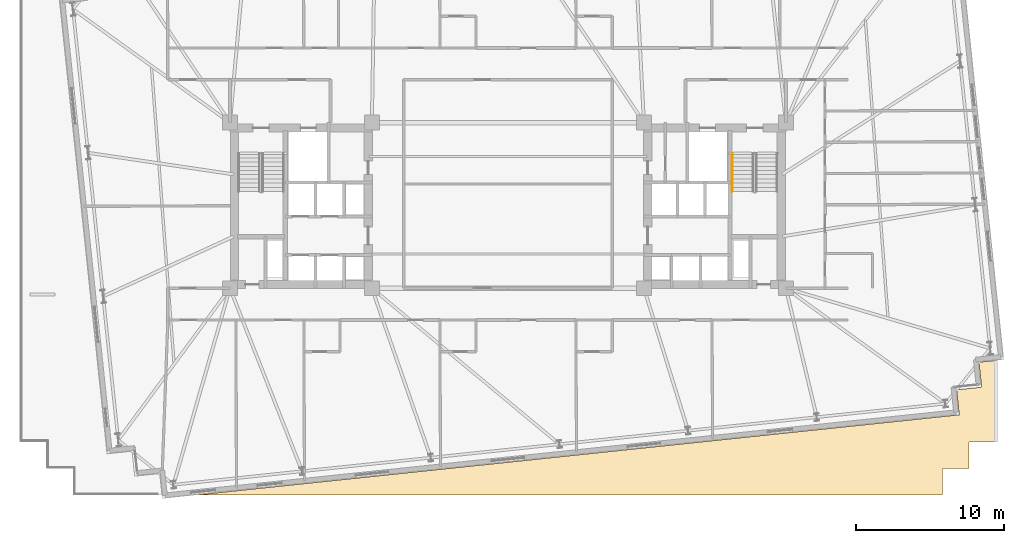
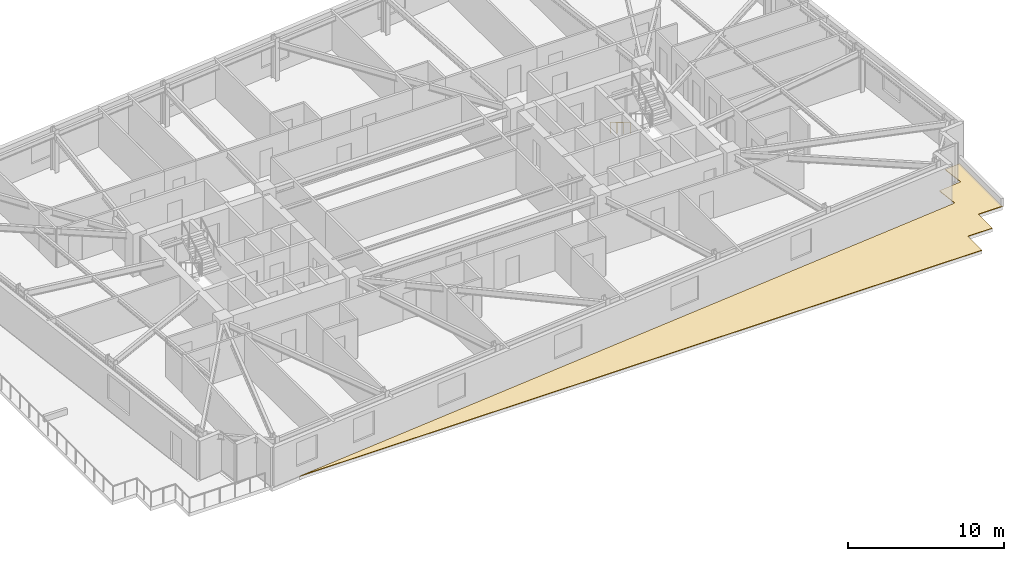
# One storey, part 19 of 20: 1 covering, 1 railing.
"""IFC4 building model written with IfcOpenShell, lengths in metres."""

from ifc_helpers import new_model, si_unit, direction, frame, origin, origin_2d, place, context, subcontext, project, spatial, polyline, circle, outline, extrude, material, layer, layer_set, type_object, element, save


model = new_model("IFC4")

# Units and contexts
model_context = context("Model", 3, precision=1e-05, world=origin(), true_north=direction((0.0, 1.0)))
body_context = subcontext(model_context, "Body", "Model", "MODEL_VIEW")
ifc_project = project(units=[si_unit("LENGTHUNIT", "METRE"), si_unit("AREAUNIT", "SQUARE_METRE"), si_unit("VOLUMEUNIT", "CUBIC_METRE"), si_unit("PLANEANGLEUNIT", "RADIAN"), si_unit("MASSUNIT", "GRAM", prefix="KILO")], contexts=[model_context])

# Site, building, storey
site_placement = place(None, origin())
site = spatial("IfcSite", under=ifc_project, at=site_placement, CompositionType="ELEMENT")
building_placement = place(site_placement, origin())
building = spatial("IfcBuilding", under=site, at=building_placement, Name="Qobustan Lattice House", CompositionType="ELEMENT")
storey_placement = place(building_placement, frame((0.0, 0.0, 79.0)))
storey = spatial("IfcBuildingStorey", under=building, at=storey_placement, Name="L21", CompositionType="ELEMENT", Elevation=79.0)

# Covering
ifc_material_1 = material(Name="Insulated stone-ballasted roof membrane", Category="masonry")
ifc_layer = layer(ifc_material_1, 0.050048828125)
ifc_layer_set = layer_set([ifc_layer], Name="Insulated stone-ballasted roof membrane")
covering_type = type_object("IfcCoveringType", Name="COV-ROOF-MEMB", PredefinedType="ROOFING", material=ifc_layer_set)
covering_placement = place(storey_placement, origin())
element("IfcCovering", 1, at=covering_placement, inside=storey, type_object=covering_type, Name="L21 setback roof membrane 1", PredefinedType="ROOFING", context=body_context, shape_type="SweptSolid", body=[
    extrude(outline(polyline([(33.0, -16.0), (33.0, -10.485107421875), (31.8623046875, -10.604736328125), (32.0400390625, -12.29541015625), (30.349365234375, -12.47314453125), (30.527099609375, -14.163818359375), (-21.1953125, -19.60009765625), (29.39990234375, -19.60009765625), (29.39990234375, -17.800048828125), (31.199951171875, -17.800048828125), (31.199951171875, -16.0), (33.0, -16.0)])), origin(), (0.0, 0.0, 1.0), 0.050048828125),
])

# Railing
ifc_material_2 = material(Name="Brushed stainless steel handrail", Category="steel")
railing_type = type_object("IfcRailingType", Name="RAL-HR-920", PredefinedType="HANDRAIL", material=ifc_material_2)
railing_placement = place(storey_placement, frame((15.179931640625, 3.5, 0.16748046875)))
element("IfcRailing", 2, at=railing_placement, inside=storey, type_object=railing_type, Name="L21 ST-E1 stair handrail 1", PredefinedType="HANDRAIL", context=body_context, shape_type="SweptSolid", body=[
    extrude(circle(Radius=0.02392578125, at=origin_2d()), frame((0.0, 0.0, 0.8759765625), z_axis=(0.0, -0.862113467892, 0.50671527358), x_axis=(1.0, 0.0, 0.0)), (0.0, 0.0, 1.0), 2.97509765625),
    extrude(circle(Radius=0.02099609375, at=origin_2d()), origin(), (0.0, 0.0, 1.0), 0.851806640625),
    extrude(circle(Radius=0.02099609375, at=origin_2d()), frame((0.0, -0.85498046875, 0.50244140625)), (0.0, 0.0, 1.0), 0.851806640625),
    extrude(circle(Radius=0.02099609375, at=origin_2d()), frame((0.0, -1.7099609375, 1.005126953125)), (0.0, 0.0, 1.0), 0.851806640625),
    extrude(circle(Radius=0.02099609375, at=origin_2d()), frame((0.0, -2.56494140625, 1.507568359375)), (0.0, 0.0, 1.0), 0.851806640625),
])

save(model, "model.ifc")
